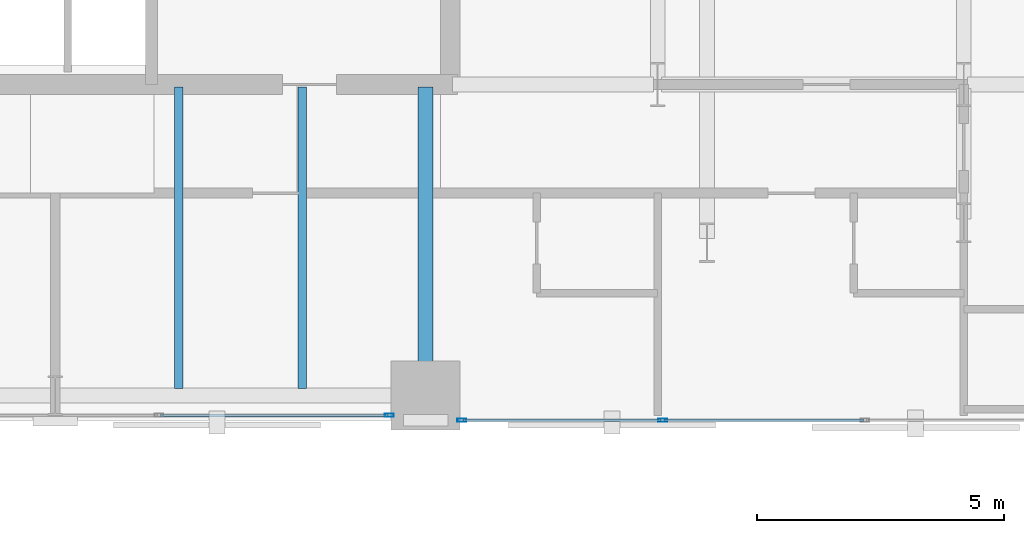
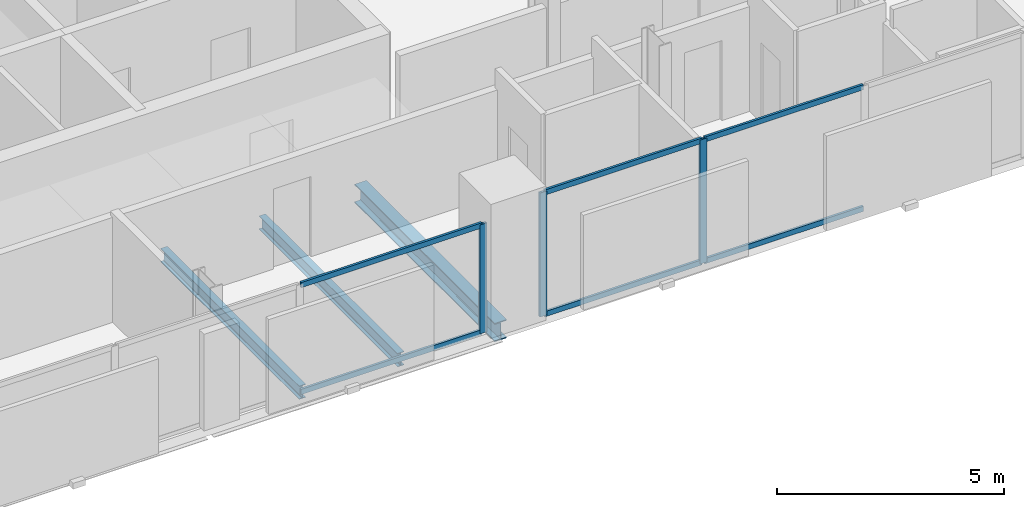
# One storey, part 15 of 33: 9 members, 3 beams, 2 elements without a shape of their own.
"""IFC4 building model written with IfcOpenShell, lengths in metres."""

from ifc_helpers import new_model, si_unit, direction, frame, origin, origin_2d, place, context, subcontext, project, spatial, hollow_rectangle, i_section, extrude, material, layer, layer_set, material_profile, profile_set, type_object, element, aggregate, save


model = new_model("IFC4")

# Units and contexts
model_context = context("Model", 3, precision=1e-05, world=origin(), true_north=direction((0.0, 1.0)))
body_context = subcontext(model_context, "Body", "Model", "MODEL_VIEW")
ifc_project = project(units=[si_unit("LENGTHUNIT", "METRE"), si_unit("AREAUNIT", "SQUARE_METRE"), si_unit("VOLUMEUNIT", "CUBIC_METRE"), si_unit("PLANEANGLEUNIT", "RADIAN"), si_unit("MASSUNIT", "GRAM", prefix="KILO")], contexts=[model_context])

# Site, building, storey
site_placement = place(None, origin())
site = spatial("IfcSite", under=ifc_project, at=site_placement, CompositionType="ELEMENT")
building_placement = place(site_placement, origin())
building = spatial("IfcBuilding", under=site, at=building_placement, Name="Catumbela Crestline Tower", CompositionType="ELEMENT")
storey_placement = place(building_placement, frame((0.0, 0.0, 43.8)))
storey = spatial("IfcBuildingStorey", under=building, at=storey_placement, Name="L10", CompositionType="ELEMENT", Elevation=43.8)

# Beams
ifc_material_1 = material(Name="Structural steel S355J2", Category="steel")
ifc_material_profile_1 = material_profile(ifc_material_1, i_section(OverallWidth=0.3, OverallDepth=0.5, WebThickness=0.0145, FlangeThickness=0.028, FilletRadius=0.027, at=origin_2d()), Name="HEB 500")
ifc_profile_set_1 = profile_set([ifc_material_profile_1], Name="Structural steel S355J2")
beam_type_1 = type_object("IfcBeamType", Name="BG-HEB500", PredefinedType="BEAM", material=ifc_profile_set_1)
beam_placement = place(storey_placement, frame((39.5, 24.58, -0.51), z_axis=(0.0, 1.0, 0.0), x_axis=(-1.0, 0.0, 0.0)))
element("IfcBeam", 1, at=beam_placement, inside=storey, type_object=beam_type_1, Name="L10 Beam BM-L10-SNS34", PredefinedType="BEAM", context=body_context, shape_type="SweptSolid", body=[
    extrude(i_section(OverallWidth=0.3, OverallDepth=0.5, WebThickness=0.0145, FlangeThickness=0.028, FilletRadius=0.027, at=origin_2d()), origin(), (0.0, 0.0, 1.0), 6.17),
])
ifc_material_profile_2 = material_profile(ifc_material_1, i_section(OverallWidth=0.17, OverallDepth=0.36, WebThickness=0.008, FlangeThickness=0.0127, FilletRadius=0.018, at=origin_2d()), Name="IPE 360")
ifc_profile_set_2 = profile_set([ifc_material_profile_2], Name="Structural steel S355J2")
beam_type_2 = type_object("IfcBeamType", Name="BJ-IPE360", PredefinedType="JOIST", material=ifc_profile_set_2)
for number, where, z_axis, x_axis, name in (
    (2, (34.5, 24.647, -0.44), (0.0, 1.0, 0.0), (-1.0, 0.0, 0.0), "L10 Joist JS-L10-SP46"),
    (3, (37.0, 24.647, -0.44), (0.0, 1.0, 0.0), (-1.0, 0.0, 0.0), "L10 Joist JS-L10-SP47"),
):
    element("IfcBeam", number, at=place(storey_placement, frame(where, z_axis=z_axis, x_axis=x_axis)), inside=storey, type_object=beam_type_2, Name=name, PredefinedType="JOIST", context=body_context, shape_type="SweptSolid", body=[
        extrude(i_section(OverallWidth=0.17, OverallDepth=0.36, WebThickness=0.008, FlangeThickness=0.0127, FilletRadius=0.018, at=origin_2d()), origin(), (0.0, 0.0, 1.0), 6.103),
    ])

# Curtain wall, member
ifc_material_2 = material(Name="Aluminium alloy AW-6060-T66", Category="aluminium")
ifc_layer = layer(ifc_material_2, 0.18, Name="Aluminium alloy AW-6060-T66")
ifc_layer_set = layer_set([ifc_layer], Name="Aluminium alloy AW-6060-T66")
curtain_wall_type = type_object("IfcCurtainWallType", Name="CWU-Z1", PredefinedType="USERDEFINED", material=ifc_layer_set)
curtain_wall_1_placement = place(storey_placement, origin())
curtain_wall_1 = element("IfcCurtainWall", 4, at=curtain_wall_1_placement, inside=storey, type_object=curtain_wall_type, Name="L10 Unitised Curtain Wall CW-L10-E3S1", ObjectType="UNITISED", PredefinedType="USERDEFINED")
ifc_material_profile_3 = material_profile(ifc_material_2, hollow_rectangle(XDim=0.065, YDim=0.18, WallThickness=0.004, at=origin_2d()), Name="ALU 180x65x4")
ifc_profile_set_3 = profile_set([ifc_material_profile_3], Name="Aluminium alloy AW-6060-T66")
member_type_1 = type_object("IfcMemberType", Name="MUL-180X65", PredefinedType="MULLION", material=ifc_profile_set_3)
member_1_placement = place(storey_placement, frame((38.7675, 24.1, 0.0), z_axis=(0.0, 0.0, 1.0), x_axis=(0.0, 1.0, 0.0)))
member_1 = element("IfcMember", 5, at=member_1_placement, type_object=member_type_1, Name="CWU-Z1 mullion 4", PredefinedType="MULLION", context=body_context, shape_type="SweptSolid", body=[
    extrude(hollow_rectangle(XDim=0.065, YDim=0.18, WallThickness=0.004, at=origin_2d()), origin(), (0.0, 0.0, 1.0), 2.93),
])

# Curtain wall, members
curtain_wall_2_placement = place(storey_placement, origin())
curtain_wall_2 = element("IfcCurtainWall", 6, at=curtain_wall_2_placement, inside=storey, type_object=curtain_wall_type, Name="L10 Unitised Curtain Wall CW-L10-E3S2", ObjectType="UNITISED", PredefinedType="USERDEFINED")
member_2_placement = place(storey_placement, frame((40.2325, 24.0, 0.0), z_axis=(0.0, 0.0, 1.0), x_axis=(0.0, 1.0, 0.0)))
member_2 = element("IfcMember", 7, at=member_2_placement, type_object=member_type_1, Name="CWU-Z1 mullion 1", PredefinedType="MULLION", context=body_context, shape_type="SweptSolid", body=[
    extrude(hollow_rectangle(XDim=0.065, YDim=0.18, WallThickness=0.004, at=origin_2d()), origin(), (0.0, 0.0, 1.0), 3.33),
])
member_3_placement = place(storey_placement, frame((44.3, 24.0, 0.0), z_axis=(0.0, 0.0, 1.0), x_axis=(0.0, 1.0, 0.0)))
member_3 = element("IfcMember", 8, at=member_3_placement, type_object=member_type_1, Name="CWU-Z1 mullion 2", PredefinedType="MULLION", context=body_context, shape_type="SweptSolid", body=[
    extrude(hollow_rectangle(XDim=0.065, YDim=0.18, WallThickness=0.004, at=origin_2d()), origin(), (0.0, 0.0, 1.0), 3.33),
])

# Member
ifc_material_profile_4 = material_profile(ifc_material_2, hollow_rectangle(XDim=0.06, YDim=0.14, WallThickness=0.004, at=origin_2d()), Name="ALU 140x60x4")
ifc_profile_set_4 = profile_set([ifc_material_profile_4], Name="Aluminium alloy AW-6060-T66")
member_type_2 = type_object("IfcMemberType", Name="TRN-140X60", PredefinedType="USERDEFINED", material=ifc_profile_set_4)
member_4_placement = place(storey_placement, frame((34.1325, 24.1, 0.03), z_axis=(1.0, 0.0, 0.0), x_axis=(0.0, 1.0, 0.0)))
member_4 = element("IfcMember", 9, at=member_4_placement, type_object=member_type_2, Name="CWU-Z1 transom 3.1", ObjectType="TRANSOM", PredefinedType="USERDEFINED", context=body_context, shape_type="SweptSolid", body=[
    extrude(hollow_rectangle(XDim=0.06, YDim=0.14, WallThickness=0.004, at=origin_2d()), origin(), (0.0, 0.0, 1.0), 4.6025),
])

member_5_placement = place(storey_placement, frame((34.1325, 24.1, 2.9), z_axis=(1.0, 0.0, 0.0), x_axis=(0.0, 1.0, 0.0)))
member_5 = element("IfcMember", 10, at=member_5_placement, type_object=member_type_2, Name="CWU-Z1 transom 3.2", ObjectType="TRANSOM", PredefinedType="USERDEFINED", context=body_context, shape_type="SweptSolid", body=[
    extrude(hollow_rectangle(XDim=0.06, YDim=0.14, WallThickness=0.004, at=origin_2d()), origin(), (0.0, 0.0, 1.0), 4.6025),
])

aggregate(curtain_wall_1, [member_1, member_4, member_5])

member_6_placement = place(storey_placement, frame((40.265, 24.0, 0.03), z_axis=(1.0, 0.0, 0.0), x_axis=(0.0, 1.0, 0.0)))
member_6 = element("IfcMember", 11, at=member_6_placement, type_object=member_type_2, Name="CWU-Z1 transom 1.1", ObjectType="TRANSOM", PredefinedType="USERDEFINED", context=body_context, shape_type="SweptSolid", body=[
    extrude(hollow_rectangle(XDim=0.06, YDim=0.14, WallThickness=0.004, at=origin_2d()), origin(), (0.0, 0.0, 1.0), 4.0025),
])

member_7_placement = place(storey_placement, frame((40.265, 24.0, 3.3), z_axis=(1.0, 0.0, 0.0), x_axis=(0.0, 1.0, 0.0)))
member_7 = element("IfcMember", 12, at=member_7_placement, type_object=member_type_2, Name="CWU-Z1 transom 1.2", ObjectType="TRANSOM", PredefinedType="USERDEFINED", context=body_context, shape_type="SweptSolid", body=[
    extrude(hollow_rectangle(XDim=0.06, YDim=0.14, WallThickness=0.004, at=origin_2d()), origin(), (0.0, 0.0, 1.0), 4.0025),
])

member_8_placement = place(storey_placement, frame((44.3325, 24.0, 0.03), z_axis=(1.0, 0.0, 0.0), x_axis=(0.0, 1.0, 0.0)))
member_8 = element("IfcMember", 13, at=member_8_placement, type_object=member_type_2, Name="CWU-Z1 transom 2.1", ObjectType="TRANSOM", PredefinedType="USERDEFINED", context=body_context, shape_type="SweptSolid", body=[
    extrude(hollow_rectangle(XDim=0.06, YDim=0.14, WallThickness=0.004, at=origin_2d()), origin(), (0.0, 0.0, 1.0), 4.035),
])

member_9_placement = place(storey_placement, frame((44.3325, 24.0, 3.3), z_axis=(1.0, 0.0, 0.0), x_axis=(0.0, 1.0, 0.0)))
member_9 = element("IfcMember", 14, at=member_9_placement, type_object=member_type_2, Name="CWU-Z1 transom 2.2", ObjectType="TRANSOM", PredefinedType="USERDEFINED", context=body_context, shape_type="SweptSolid", body=[
    extrude(hollow_rectangle(XDim=0.06, YDim=0.14, WallThickness=0.004, at=origin_2d()), origin(), (0.0, 0.0, 1.0), 4.035),
])

aggregate(curtain_wall_2, [member_2, member_3, member_6, member_7, member_8, member_9])

save(model, "model.ifc")
